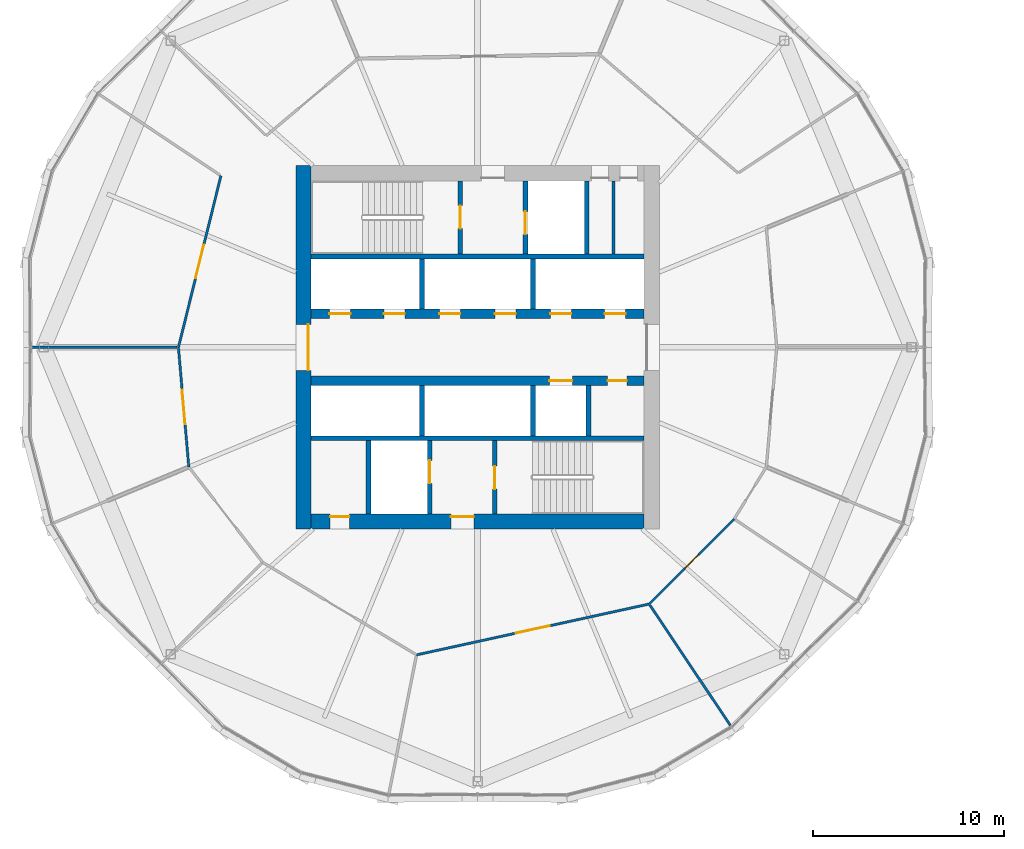
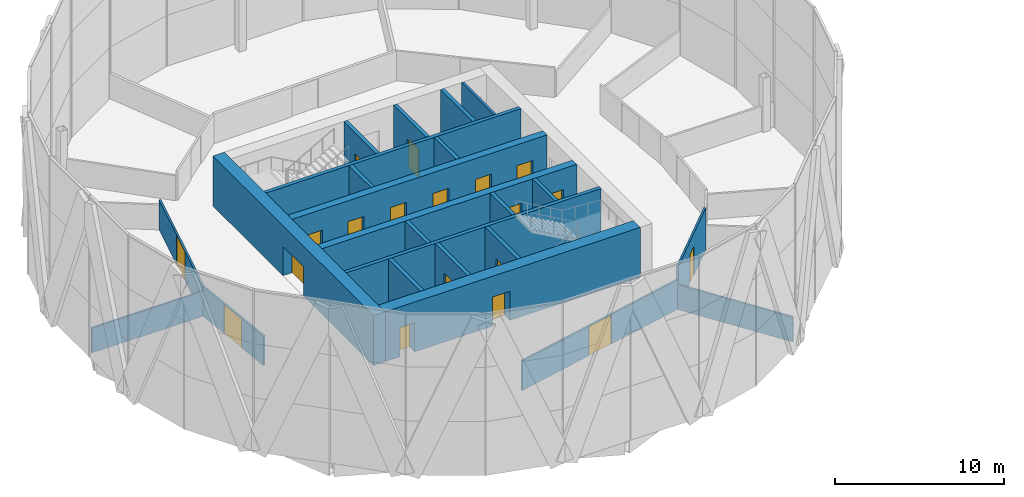
# One storey, part 20 of 26: 24 walls, 19 doors, 19 openings.
"""IFC4 building model written with IfcOpenShell, lengths in metres."""

from ifc_helpers import new_model, si_unit, direction, frame, frame_2d, origin, place, context, subcontext, project, spatial, rectangle, extrude, material, layer, layer_set, type_object, element, fill, save


model = new_model("IFC4")

# Units and contexts
model_context = context("Model", 3, precision=1e-05, world=origin(), true_north=direction((0.0, 1.0)))
body_context = subcontext(model_context, "Body", "Model", "MODEL_VIEW")
ifc_project = project(units=[si_unit("LENGTHUNIT", "METRE"), si_unit("AREAUNIT", "SQUARE_METRE"), si_unit("VOLUMEUNIT", "CUBIC_METRE"), si_unit("PLANEANGLEUNIT", "RADIAN"), si_unit("MASSUNIT", "GRAM", prefix="KILO")], contexts=[model_context])

# Site, building, storey
site_placement = place(None, origin())
site = spatial("IfcSite", under=ifc_project, at=site_placement, CompositionType="ELEMENT")
building_placement = place(site_placement, origin())
building = spatial("IfcBuilding", under=site, at=building_placement, Name="Ogive Gate Towers", CompositionType="ELEMENT")
storey_placement = place(building_placement, frame((0.0, 0.0, 87.89990234375)))
storey = spatial("IfcBuildingStorey", under=building, at=storey_placement, Name="L20", CompositionType="ELEMENT", Elevation=87.89990234375)

# Wall, openings, doors
ifc_material_1 = material(Name="Concrete C60/75", Category="concrete")
ifc_layer_1 = layer(ifc_material_1, 0.800048828125)
ifc_layer_set_1 = layer_set([ifc_layer_1], Name="Core wall 800 mm")
wall_type_1 = type_object("IfcWallType", Name="Core wall 800 mm", PredefinedType="SHEAR", material=ifc_layer_set_1)
wall_1_placement = place(storey_placement, frame((-44.699951171875, -9.10009765625, 0.0), z_axis=(0.0, 0.0, 1.0), x_axis=(1.0, 0.0, 0.0)))
wall_1 = element("IfcWall", 1, at=wall_1_placement, inside=storey, type_object=wall_type_1, Name="T1 L20 Core wall 800 mm", PredefinedType="SHEAR", context=body_context, shape_type="SweptSolid", body=[
    extrude(rectangle(XDim=17.39990234375, YDim=0.800048828125, at=frame_2d((8.699951171875, 0.0))), origin(), (0.0, 0.0, 1.0), 3.60009765625),
])
opening_1_placement = place(wall_1_placement, frame((7.300048828125, 0.0, 0.0)))
opening_1 = element("IfcOpeningElement", 2, at=opening_1_placement, cuts=wall_1, Name="Opening KD-T1-L20-16", PredefinedType="OPENING", context=body_context, shape_type="SweptSolid", body=[
    extrude(rectangle(XDim=1.199951171875, YDim=2.10009765625, at=frame_2d((0.60009765625, 1.050048828125))), frame((0.0, 0.41015625, 0.0), z_axis=(0.0, -1.0, 0.0), x_axis=(1.0, 0.0, 0.0)), (0.0, 0.0, 1.0), 0.820068359375),
])
opening_2_placement = place(wall_1_placement, frame((1.0, 0.0, 0.0)))
opening_2 = element("IfcOpeningElement", 3, at=opening_2_placement, cuts=wall_1, Name="Opening KD-T1-L20-19", PredefinedType="OPENING", context=body_context, shape_type="SweptSolid", body=[
    extrude(rectangle(XDim=1.0, YDim=2.10009765625, at=frame_2d((0.5, 1.050048828125))), frame((0.0, 0.41015625, 0.0), z_axis=(0.0, -1.0, 0.0), x_axis=(1.0, 0.0, 0.0)), (0.0, 0.0, 1.0), 0.820068359375),
])
ifc_material_2 = material(Name="Timber door", Category="wood")
door_type_1 = type_object("IfcDoorType", Name="Accessible WC door 1000 x 2100", OperationType="NOTDEFINED", PredefinedType="DOOR", material=ifc_material_2)
door_1_placement = place(opening_2_placement, origin())
door_1 = element("IfcDoor", 4, at=door_1_placement, inside=storey, type_object=door_type_1, Name="T1 L20 Core door", OperationType="SINGLE_SWING_RIGHT", OverallHeight=2.10009765625, OverallWidth=1.0, PredefinedType="DOOR", context=body_context, shape_type="SweptSolid", body=[
    extrude(rectangle(XDim=1.0, YDim=2.10009765625, at=frame_2d((0.5, 1.050048828125))), frame((0.0, 0.27490234375, 0.0), z_axis=(0.0, -1.0, 0.0), x_axis=(1.0, 0.0, 0.0)), (0.0, 0.0, 1.0), 0.050048828125),
])
fill(opening_2, door_1)
ifc_material_3 = material(Name="Steel fire door", Category="steel")
door_type_2 = type_object("IfcDoorType", Name="Core door FD60S 1200 x 2100", OperationType="NOTDEFINED", PredefinedType="DOOR", material=ifc_material_3)
door_2_placement = place(opening_1_placement, origin())
door_2 = element("IfcDoor", 5, at=door_2_placement, inside=storey, type_object=door_type_2, Name="T1 L20 Fire-fighting lobby door", OperationType="SINGLE_SWING_LEFT", OverallHeight=2.10009765625, OverallWidth=1.199951171875, PredefinedType="DOOR", context=body_context, shape_type="SweptSolid", body=[
    extrude(rectangle(XDim=1.199951171875, YDim=2.10009765625, at=frame_2d((0.60009765625, 1.050048828125))), frame((0.0, 0.27490234375, 0.0), z_axis=(0.0, -1.0, 0.0), x_axis=(1.0, 0.0, 0.0)), (0.0, 0.0, 1.0), 0.050048828125),
])
fill(opening_1, door_2)

# Wall, opening, door
wall_2_placement = place(storey_placement, frame((-45.10009765625, -9.5, 0.0), z_axis=(0.0, 0.0, 1.0), x_axis=(0.0, 1.0, 0.0)))
wall_2 = element("IfcWall", 6, at=wall_2_placement, inside=storey, type_object=wall_type_1, Name="T1 L20 Core wall 800 mm", PredefinedType="SHEAR", context=body_context, shape_type="SweptSolid", body=[
    extrude(rectangle(XDim=19.0, YDim=0.800048828125, at=frame_2d((9.5, 0.0))), origin(), (0.0, 0.0, 1.0), 3.60009765625),
])
opening_3_placement = place(wall_2_placement, frame((8.300048828125, 0.0, 0.0)))
opening_3 = element("IfcOpeningElement", 7, at=opening_3_placement, cuts=wall_2, Name="Opening KD-T1-L20-01", PredefinedType="OPENING", context=body_context, shape_type="SweptSolid", body=[
    extrude(rectangle(XDim=2.39990234375, YDim=2.10009765625, at=frame_2d((1.199951171875, 1.050048828125))), frame((0.0, 0.41015625, 0.0), z_axis=(0.0, -1.0, 0.0), x_axis=(1.0, 0.0, 0.0)), (0.0, 0.0, 1.0), 0.820068359375),
])
door_type_3 = type_object("IfcDoorType", Name="Core double door FD60S 2400 x 2100", OperationType="DOUBLE_DOOR_SINGLE_SWING", PredefinedType="DOOR", material=ifc_material_3)
door_3_placement = place(opening_3_placement, origin())
door_3 = element("IfcDoor", 8, at=door_3_placement, inside=storey, type_object=door_type_3, Name="T1 L20 Core door double", OperationType="DOUBLE_DOOR_SINGLE_SWING", OverallHeight=2.10009765625, OverallWidth=2.39990234375, PredefinedType="DOOR", context=body_context, shape_type="SweptSolid", body=[
    extrude(rectangle(XDim=2.39990234375, YDim=2.10009765625, at=frame_2d((1.199951171875, 1.050048828125))), frame((0.0, -0.22509765625, 0.0), z_axis=(0.0, -1.0, 0.0), x_axis=(1.0, 0.0, 0.0)), (0.0, 0.0, 1.0), 0.050048828125),
])
fill(opening_3, door_3)

# Walls
ifc_material_4 = material(Name="Gypsum board partition")
ifc_layer_2 = layer(ifc_material_4, 0.125)
ifc_layer_set_2 = layer_set([ifc_layer_2], Name="Partition 125")
wall_type_2 = type_object("IfcWallType", Name="Partition 125", PredefinedType="PARTITIONING", material=ifc_layer_set_2)
wall_3_placement = place(storey_placement, frame((-59.26904296875, 0.0, 0.0), z_axis=(0.0, 0.0, 1.0), x_axis=(1.0, 0.0, 0.0)))
element("IfcWall", 9, at=wall_3_placement, inside=storey, type_object=wall_type_2, Name="Partition T1-L20-008", PredefinedType="PARTITIONING", context=body_context, shape_type="SweptSolid", body=[
    extrude(rectangle(XDim=7.57666015625, YDim=0.125, at=frame_2d((3.788330078125, 0.0))), origin(), (0.0, 0.0, 1.0), 1.800048828125),
])
wall_4_placement = place(storey_placement, frame((-22.7880859375, -19.759521484375, 0.0), z_axis=(0.0, 0.0, 1.0), x_axis=(-0.555822554951, 0.831300960788, 0.0)))
element("IfcWall", 10, at=wall_4_placement, inside=storey, type_object=wall_type_2, Name="Partition T1-L20-012", PredefinedType="PARTITIONING", context=body_context, shape_type="SweptSolid", body=[
    extrude(rectangle(XDim=7.576416015625, YDim=0.125, at=frame_2d((3.7880859375, 0.0))), origin(), (0.0, 0.0, 1.0), 1.800048828125),
])

# Wall, opening, door
wall_5_placement = place(storey_placement, frame((-49.4091796875, 8.9658203125, 0.0), z_axis=(0.0, 0.0, 1.0), x_axis=(-0.240420532382, -0.970668824888, 0.0)))
wall_5 = element("IfcWall", 11, at=wall_5_placement, inside=storey, type_object=wall_type_2, Name="Partition T1-L20-018", PredefinedType="PARTITIONING", context=body_context, shape_type="SweptSolid", body=[
    extrude(rectangle(XDim=9.23681640625, YDim=0.125, at=frame_2d((4.618408203125, 0.0))), origin(), (0.0, 0.0, 1.0), 2.14013671875),
])
opening_4_placement = place(wall_5_placement, frame((3.718017578125, 0.0, 0.0)))
opening_4 = element("IfcOpeningElement", 12, at=opening_4_placement, cuts=wall_5, Name="Opening T1-L20-D04", PredefinedType="OPENING", context=body_context, shape_type="SweptSolid", body=[
    extrude(rectangle(XDim=1.800048828125, YDim=2.10009765625, at=frame_2d((0.89990234375, 1.050048828125))), frame((0.0, 0.072509765625, 0.0), z_axis=(0.0, -1.0, 0.0), x_axis=(1.0, 0.0, 0.0)), (0.0, 0.0, 1.0), 0.14501953125),
])
door_type_4 = type_object("IfcDoorType", Name="Door pair 1800", OperationType="NOTDEFINED", PredefinedType="DOOR", material=ifc_material_2)
door_4_placement = place(opening_4_placement, origin())
door_4 = element("IfcDoor", 13, at=door_4_placement, inside=storey, type_object=door_type_4, Name="Door T1-L20-D04", OperationType="DOUBLE_DOOR_DOUBLE_SWING", OverallHeight=2.10009765625, OverallWidth=1.800048828125, PredefinedType="DOOR", context=body_context, shape_type="SweptSolid", body=[
    extrude(rectangle(XDim=1.800048828125, YDim=2.10009765625, at=frame_2d((0.89990234375, 1.050048828125))), frame((0.0, 0.02490234375, 0.0), z_axis=(0.0, -1.0, 0.0), x_axis=(1.0, 0.0, 0.0)), (0.0, 0.0, 1.0), 0.050048828125),
])
fill(opening_4, door_4)

wall_6_placement = place(storey_placement, frame((-51.6298828125, 0.0, 0.0), z_axis=(0.0, 0.0, 1.0), x_axis=(0.086401208682, -0.996260423352, 0.0)))
wall_6 = element("IfcWall", 14, at=wall_6_placement, inside=storey, type_object=wall_type_2, Name="Partition T1-L20-019", PredefinedType="PARTITIONING", context=body_context, shape_type="SweptSolid", body=[
    extrude(rectangle(XDim=6.27294921875, YDim=0.125, at=frame_2d((3.136474609375, 0.0))), origin(), (0.0, 0.0, 1.0), 2.14013671875),
])
opening_5_placement = place(wall_6_placement, frame((2.237060546875, 0.0, 0.0)))
opening_5 = element("IfcOpeningElement", 15, at=opening_5_placement, cuts=wall_6, Name="Opening T1-L20-D05", PredefinedType="OPENING", context=body_context, shape_type="SweptSolid", body=[
    extrude(rectangle(XDim=1.800048828125, YDim=2.10009765625, at=frame_2d((0.89990234375, 1.050048828125))), frame((0.0, 0.072509765625, 0.0), z_axis=(0.0, -1.0, 0.0), x_axis=(1.0, 0.0, 0.0)), (0.0, 0.0, 1.0), 0.14501953125),
])
door_5_placement = place(opening_5_placement, origin())
door_5 = element("IfcDoor", 16, at=door_5_placement, inside=storey, type_object=door_type_4, Name="Door T1-L20-D05", OperationType="DOUBLE_DOOR_DOUBLE_SWING", OverallHeight=2.10009765625, OverallWidth=1.800048828125, PredefinedType="DOOR", context=body_context, shape_type="SweptSolid", body=[
    extrude(rectangle(XDim=1.800048828125, YDim=2.10009765625, at=frame_2d((0.89990234375, 1.050048828125))), frame((0.0, 0.02490234375, 0.0), z_axis=(0.0, -1.0, 0.0), x_axis=(1.0, 0.0, 0.0)), (0.0, 0.0, 1.0), 0.050048828125),
])
fill(opening_5, door_5)

wall_7_placement = place(storey_placement, frame((-39.190673828125, -16.06689453125, 0.0), z_axis=(0.0, 0.0, 1.0), x_axis=(0.976925481372, 0.213580438821, 0.0)))
wall_7 = element("IfcWall", 17, at=wall_7_placement, inside=storey, type_object=wall_type_2, Name="Partition T1-L20-022", PredefinedType="PARTITIONING", context=body_context, shape_type="SweptSolid", body=[
    extrude(rectangle(XDim=12.443603515625, YDim=0.125, at=frame_2d((6.2216796875, 0.0))), origin(), (0.0, 0.0, 1.0), 2.14013671875),
])
opening_6_placement = place(wall_7_placement, frame((5.322021484375, 0.0, 0.0)))
opening_6 = element("IfcOpeningElement", 18, at=opening_6_placement, cuts=wall_7, Name="Opening T1-L20-D08", PredefinedType="OPENING", context=body_context, shape_type="SweptSolid", body=[
    extrude(rectangle(XDim=1.800048828125, YDim=2.10009765625, at=frame_2d((0.89990234375, 1.050048828125))), frame((0.0, 0.072509765625, 0.0), z_axis=(0.0, -1.0, 0.0), x_axis=(1.0, 0.0, 0.0)), (0.0, 0.0, 1.0), 0.14501953125),
])
door_6_placement = place(opening_6_placement, origin())
door_6 = element("IfcDoor", 19, at=door_6_placement, inside=storey, type_object=door_type_4, Name="Door T1-L20-D08", OperationType="DOUBLE_DOOR_DOUBLE_SWING", OverallHeight=2.10009765625, OverallWidth=1.800048828125, PredefinedType="DOOR", context=body_context, shape_type="SweptSolid", body=[
    extrude(rectangle(XDim=1.800048828125, YDim=2.10009765625, at=frame_2d((0.89990234375, 1.050048828125))), frame((0.0, 0.02490234375, 0.0), z_axis=(0.0, -1.0, 0.0), x_axis=(1.0, 0.0, 0.0)), (0.0, 0.0, 1.0), 0.050048828125),
])
fill(opening_6, door_6)

wall_8_placement = place(storey_placement, frame((-27.0341796875, -13.4091796875, 0.0), z_axis=(0.0, 0.0, 1.0), x_axis=(0.707106781187, 0.707106781187, 0.0)))
wall_8 = element("IfcWall", 20, at=wall_8_placement, inside=storey, type_object=wall_type_2, Name="Partition T1-L20-023", PredefinedType="PARTITIONING", context=body_context, shape_type="SweptSolid", body=[
    extrude(rectangle(XDim=6.283935546875, YDim=0.125, at=frame_2d((3.14208984375, 0.0))), origin(), (0.0, 0.0, 1.0), 3.050048828125),
])
opening_7_placement = place(wall_8_placement, frame((2.64208984375, 0.0, 0.0)))
opening_7 = element("IfcOpeningElement", 21, at=opening_7_placement, cuts=wall_8, Name="Opening T1-L20-D09", PredefinedType="OPENING", context=body_context, shape_type="SweptSolid", body=[
    extrude(rectangle(XDim=1.0, YDim=2.10009765625, at=frame_2d((0.5, 1.050048828125))), frame((0.0, 0.072509765625, 0.0), z_axis=(0.0, -1.0, 0.0), x_axis=(1.0, 0.0, 0.0)), (0.0, 0.0, 1.0), 0.14501953125),
])
door_type_5 = type_object("IfcDoorType", Name="Door 1000", OperationType="NOTDEFINED", PredefinedType="DOOR", material=ifc_material_2)
door_7_placement = place(opening_7_placement, origin())
door_7 = element("IfcDoor", 22, at=door_7_placement, inside=storey, type_object=door_type_5, Name="Door T1-L20-D09", OperationType="SINGLE_SWING_LEFT", OverallHeight=2.10009765625, OverallWidth=1.0, PredefinedType="DOOR", context=body_context, shape_type="SweptSolid", body=[
    extrude(rectangle(XDim=1.0, YDim=2.10009765625, at=frame_2d((0.5, 1.050048828125))), frame((0.0, 0.02490234375, 0.0), z_axis=(0.0, -1.0, 0.0), x_axis=(1.0, 0.0, 0.0)), (0.0, 0.0, 1.0), 0.050048828125),
])
fill(opening_7, door_7)

# Walls
ifc_layer_3 = layer(ifc_material_4, 0.14990234375)
ifc_layer_set_3 = layer_set([ifc_layer_3], Name="Room partition 150 mm")
wall_type_3 = type_object("IfcWallType", Name="Room partition 150 mm", PredefinedType="PARTITIONING", material=ifc_layer_set_3)
wall_9_placement = place(storey_placement, frame((-28.89990234375, 4.875, 0.0), z_axis=(0.0, 0.0, 1.0), x_axis=(0.0, 1.0, 0.0)))
element("IfcWall", 23, at=wall_9_placement, inside=storey, type_object=wall_type_3, Name="T1 L20 Room partition 150 mm", PredefinedType="PARTITIONING", context=body_context, shape_type="SweptSolid", body=[
    extrude(rectangle(XDim=3.824951171875, YDim=0.14990234375, at=frame_2d((1.91259765625, 0.0))), origin(), (0.0, 0.0, 1.0), 3.60009765625),
])
ifc_layer_4 = layer(ifc_material_1, 0.25)
ifc_layer_set_4 = layer_set([ifc_layer_4], Name="Shaft wall 250 mm")
wall_type_4 = type_object("IfcWallType", Name="Shaft wall 250 mm", PredefinedType="SHEAR", material=ifc_layer_set_4)
for number, where, z_axis, x_axis, name in (
    (24, (-44.699951171875, -4.75, 0.0), (0.0, 0.0, 1.0), (1.0, 0.0, 0.0), "T1 L20 Shaft wall 250 mm"),
    (25, (-44.699951171875, 4.75, 0.0), (0.0, 0.0, 1.0), (1.0, 0.0, 0.0), "T1 L20 Shaft wall 250 mm"),
):
    element("IfcWall", number, at=place(storey_placement, frame(where, z_axis=z_axis, x_axis=x_axis)), inside=storey, type_object=wall_type_4, Name=name, PredefinedType="SHEAR", context=body_context, shape_type="SweptSolid", body=[
        extrude(rectangle(XDim=17.39990234375, YDim=0.25, at=frame_2d((8.699951171875, 0.0))), origin(), (0.0, 0.0, 1.0), 3.60009765625),
    ])
wall_10_placement = place(storey_placement, frame((-41.699951171875, -8.699951171875, 0.0), z_axis=(0.0, 0.0, 1.0), x_axis=(0.0, 1.0, 0.0)))
element("IfcWall", 26, at=wall_10_placement, inside=storey, type_object=wall_type_4, Name="T1 L20 Shaft wall 250 mm", PredefinedType="SHEAR", context=body_context, shape_type="SweptSolid", body=[
    extrude(rectangle(XDim=3.824951171875, YDim=0.25, at=frame_2d((1.91259765625, 0.0))), origin(), (0.0, 0.0, 1.0), 3.60009765625),
])
for number, where, z_axis, x_axis, name in (
    (27, (-38.89990234375, -4.625, 0.0), (0.0, 0.0, 1.0), (0.0, 1.0, 0.0), "T1 L20 Shaft wall 250 mm"),
    (28, (-38.89990234375, 2.0, 0.0), (0.0, 0.0, 1.0), (0.0, 1.0, 0.0), "T1 L20 Shaft wall 250 mm"),
):
    element("IfcWall", number, at=place(storey_placement, frame(where, z_axis=z_axis, x_axis=x_axis)), inside=storey, type_object=wall_type_4, Name=name, PredefinedType="SHEAR", context=body_context, shape_type="SweptSolid", body=[
        extrude(rectangle(XDim=2.625, YDim=0.25, at=frame_2d((1.3125, 0.0))), origin(), (0.0, 0.0, 1.0), 3.60009765625),
    ])

# Wall, opening, door
wall_11_placement = place(storey_placement, frame((-38.5, -8.699951171875, 0.0), z_axis=(0.0, 0.0, 1.0), x_axis=(0.0, 1.0, 0.0)))
wall_11 = element("IfcWall", 29, at=wall_11_placement, inside=storey, type_object=wall_type_4, Name="T1 L20 Shaft wall 250 mm", PredefinedType="SHEAR", context=body_context, shape_type="SweptSolid", body=[
    extrude(rectangle(XDim=3.824951171875, YDim=0.25, at=frame_2d((1.91259765625, 0.0))), origin(), (0.0, 0.0, 1.0), 3.60009765625),
])
opening_8_placement = place(wall_11_placement, frame((1.60009765625, 0.0, 0.0)))
opening_8 = element("IfcOpeningElement", 30, at=opening_8_placement, cuts=wall_11, Name="Opening LD-T1-L20-11", PredefinedType="OPENING", context=body_context, shape_type="SweptSolid", body=[
    extrude(rectangle(XDim=1.199951171875, YDim=2.10009765625, at=frame_2d((0.60009765625, 1.050048828125))), frame((0.0, 0.135009765625, 0.0), z_axis=(0.0, -1.0, 0.0), x_axis=(1.0, 0.0, 0.0)), (0.0, 0.0, 1.0), 0.27001953125),
])
ifc_material_5 = material(Name="Stainless steel landing door", Category="steel")
door_type_6 = type_object("IfcDoorType", Name="Landing door 1200 x 2100", OperationType="SLIDING_TO_LEFT", PredefinedType="DOOR", material=ifc_material_5)
door_8_placement = place(opening_8_placement, origin())
door_8 = element("IfcDoor", 31, at=door_8_placement, inside=storey, type_object=door_type_6, Name="T1 L20 Lift landing door FF2", OperationType="SLIDING_TO_LEFT", OverallHeight=2.10009765625, OverallWidth=1.199951171875, PredefinedType="DOOR", context=body_context, shape_type="SweptSolid", body=[
    extrude(rectangle(XDim=1.199951171875, YDim=2.10009765625, at=frame_2d((0.60009765625, 1.050048828125))), frame((0.0, 0.02490234375, 0.0), z_axis=(0.0, -1.0, 0.0), x_axis=(1.0, 0.0, 0.0)), (0.0, 0.0, 1.0), 0.050048828125),
])
fill(opening_8, door_8)

wall_12_placement = place(storey_placement, frame((-36.89990234375, 4.875, 0.0), z_axis=(0.0, 0.0, 1.0), x_axis=(0.0, 1.0, 0.0)))
wall_12 = element("IfcWall", 32, at=wall_12_placement, inside=storey, type_object=wall_type_4, Name="T1 L20 Shaft wall 250 mm", PredefinedType="SHEAR", context=body_context, shape_type="SweptSolid", body=[
    extrude(rectangle(XDim=3.824951171875, YDim=0.25, at=frame_2d((1.91259765625, 0.0))), origin(), (0.0, 0.0, 1.0), 3.60009765625),
])
opening_9_placement = place(wall_12_placement, frame((1.324951171875, 0.0, 0.0)))
opening_9 = element("IfcOpeningElement", 33, at=opening_9_placement, cuts=wall_12, Name="Opening KD-T1-L20-13", PredefinedType="OPENING", context=body_context, shape_type="SweptSolid", body=[
    extrude(rectangle(XDim=1.199951171875, YDim=2.10009765625, at=frame_2d((0.60009765625, 1.050048828125))), frame((0.0, 0.135009765625, 0.0), z_axis=(0.0, -1.0, 0.0), x_axis=(1.0, 0.0, 0.0)), (0.0, 0.0, 1.0), 0.27001953125),
])
door_9_placement = place(opening_9_placement, origin())
door_9 = element("IfcDoor", 34, at=door_9_placement, inside=storey, type_object=door_type_2, Name="T1 L20 Stair door", OperationType="SINGLE_SWING_RIGHT", OverallHeight=2.10009765625, OverallWidth=1.199951171875, PredefinedType="DOOR", context=body_context, shape_type="SweptSolid", body=[
    extrude(rectangle(XDim=1.199951171875, YDim=2.10009765625, at=frame_2d((0.60009765625, 1.050048828125))), frame((0.0, 0.02490234375, 0.0), z_axis=(0.0, -1.0, 0.0), x_axis=(1.0, 0.0, 0.0)), (0.0, 0.0, 1.0), 0.050048828125),
])
fill(opening_9, door_9)

wall_13_placement = place(storey_placement, frame((-35.10009765625, -8.699951171875, 0.0), z_axis=(0.0, 0.0, 1.0), x_axis=(0.0, 1.0, 0.0)))
wall_13 = element("IfcWall", 35, at=wall_13_placement, inside=storey, type_object=wall_type_4, Name="T1 L20 Shaft wall 250 mm", PredefinedType="SHEAR", context=body_context, shape_type="SweptSolid", body=[
    extrude(rectangle(XDim=3.824951171875, YDim=0.25, at=frame_2d((1.91259765625, 0.0))), origin(), (0.0, 0.0, 1.0), 3.60009765625),
])
opening_10_placement = place(wall_13_placement, frame((1.300048828125, 0.0, 0.0)))
opening_10 = element("IfcOpeningElement", 36, at=opening_10_placement, cuts=wall_13, Name="Opening KD-T1-L20-14", PredefinedType="OPENING", context=body_context, shape_type="SweptSolid", body=[
    extrude(rectangle(XDim=1.199951171875, YDim=2.10009765625, at=frame_2d((0.60009765625, 1.050048828125))), frame((0.0, 0.135009765625, 0.0), z_axis=(0.0, -1.0, 0.0), x_axis=(1.0, 0.0, 0.0)), (0.0, 0.0, 1.0), 0.27001953125),
])
door_10_placement = place(opening_10_placement, origin())
door_10 = element("IfcDoor", 37, at=door_10_placement, inside=storey, type_object=door_type_2, Name="T1 L20 Stair door", OperationType="SINGLE_SWING_LEFT", OverallHeight=2.10009765625, OverallWidth=1.199951171875, PredefinedType="DOOR", context=body_context, shape_type="SweptSolid", body=[
    extrude(rectangle(XDim=1.199951171875, YDim=2.10009765625, at=frame_2d((0.60009765625, 1.050048828125))), frame((0.0, 0.02490234375, 0.0), z_axis=(0.0, -1.0, 0.0), x_axis=(1.0, 0.0, 0.0)), (0.0, 0.0, 1.0), 0.050048828125),
])
fill(opening_10, door_10)

wall_14_placement = place(storey_placement, frame((-33.5, 4.875, 0.0), z_axis=(0.0, 0.0, 1.0), x_axis=(0.0, 1.0, 0.0)))
wall_14 = element("IfcWall", 38, at=wall_14_placement, inside=storey, type_object=wall_type_4, Name="T1 L20 Shaft wall 250 mm", PredefinedType="SHEAR", context=body_context, shape_type="SweptSolid", body=[
    extrude(rectangle(XDim=3.824951171875, YDim=0.25, at=frame_2d((1.91259765625, 0.0))), origin(), (0.0, 0.0, 1.0), 3.60009765625),
])
opening_11_placement = place(wall_14_placement, frame((1.02490234375, 0.0, 0.0)))
opening_11 = element("IfcOpeningElement", 39, at=opening_11_placement, cuts=wall_14, Name="Opening LD-T1-L20-10", PredefinedType="OPENING", context=body_context, shape_type="SweptSolid", body=[
    extrude(rectangle(XDim=1.199951171875, YDim=2.10009765625, at=frame_2d((0.60009765625, 1.050048828125))), frame((0.0, 0.135009765625, 0.0), z_axis=(0.0, -1.0, 0.0), x_axis=(1.0, 0.0, 0.0)), (0.0, 0.0, 1.0), 0.27001953125),
])
door_11_placement = place(opening_11_placement, origin())
door_11 = element("IfcDoor", 40, at=door_11_placement, inside=storey, type_object=door_type_6, Name="T1 L20 Lift landing door FF1", OperationType="SLIDING_TO_LEFT", OverallHeight=2.10009765625, OverallWidth=1.199951171875, PredefinedType="DOOR", context=body_context, shape_type="SweptSolid", body=[
    extrude(rectangle(XDim=1.199951171875, YDim=2.10009765625, at=frame_2d((0.60009765625, 1.050048828125))), frame((0.0, 0.02490234375, 0.0), z_axis=(0.0, -1.0, 0.0), x_axis=(1.0, 0.0, 0.0)), (0.0, 0.0, 1.0), 0.050048828125),
])
fill(opening_11, door_11)

# Walls
for number, where, z_axis, x_axis, name in (
    (41, (-33.10009765625, -4.625, 0.0), (0.0, 0.0, 1.0), (0.0, 1.0, 0.0), "T1 L20 Shaft wall 250 mm"),
    (42, (-33.10009765625, 2.0, 0.0), (0.0, 0.0, 1.0), (0.0, 1.0, 0.0), "T1 L20 Shaft wall 250 mm"),
):
    element("IfcWall", number, at=place(storey_placement, frame(where, z_axis=z_axis, x_axis=x_axis)), inside=storey, type_object=wall_type_4, Name=name, PredefinedType="SHEAR", context=body_context, shape_type="SweptSolid", body=[
        extrude(rectangle(XDim=2.625, YDim=0.25, at=frame_2d((1.3125, 0.0))), origin(), (0.0, 0.0, 1.0), 3.60009765625),
    ])
wall_15_placement = place(storey_placement, frame((-30.300048828125, 4.875, 0.0), z_axis=(0.0, 0.0, 1.0), x_axis=(0.0, 1.0, 0.0)))
element("IfcWall", 43, at=wall_15_placement, inside=storey, type_object=wall_type_4, Name="T1 L20 Shaft wall 250 mm", PredefinedType="SHEAR", context=body_context, shape_type="SweptSolid", body=[
    extrude(rectangle(XDim=3.824951171875, YDim=0.25, at=frame_2d((1.91259765625, 0.0))), origin(), (0.0, 0.0, 1.0), 3.60009765625),
])
wall_16_placement = place(storey_placement, frame((-30.199951171875, -4.625, 0.0), z_axis=(0.0, 0.0, 1.0), x_axis=(0.0, 1.0, 0.0)))
element("IfcWall", 44, at=wall_16_placement, inside=storey, type_object=wall_type_4, Name="T1 L20 Shaft wall 250 mm", PredefinedType="SHEAR", context=body_context, shape_type="SweptSolid", body=[
    extrude(rectangle(XDim=2.625, YDim=0.25, at=frame_2d((1.3125, 0.0))), origin(), (0.0, 0.0, 1.0), 3.60009765625),
])

# Wall, openings, doors
ifc_layer_5 = layer(ifc_material_1, 0.5)
ifc_layer_set_5 = layer_set([ifc_layer_5], Name="Spine wall 500 mm")
wall_type_5 = type_object("IfcWallType", Name="Spine wall 500 mm", PredefinedType="SHEAR", material=ifc_layer_set_5)
wall_17_placement = place(storey_placement, frame((-44.699951171875, -1.75, 0.0), z_axis=(0.0, 0.0, 1.0), x_axis=(1.0, 0.0, 0.0)))
wall_17 = element("IfcWall", 45, at=wall_17_placement, inside=storey, type_object=wall_type_5, Name="T1 L20 Spine wall 500 mm", PredefinedType="SHEAR", context=body_context, shape_type="SweptSolid", body=[
    extrude(rectangle(XDim=17.39990234375, YDim=0.5, at=frame_2d((8.699951171875, 0.0))), origin(), (0.0, 0.0, 1.0), 3.60009765625),
])
opening_12_placement = place(wall_17_placement, frame((12.449951171875, 0.0, 0.0)))
opening_12 = element("IfcOpeningElement", 46, at=opening_12_placement, cuts=wall_17, Name="Opening LD-T1-L20-09", PredefinedType="OPENING", context=body_context, shape_type="SweptSolid", body=[
    extrude(rectangle(XDim=1.199951171875, YDim=2.10009765625, at=frame_2d((0.60009765625, 1.050048828125))), frame((0.0, 0.260009765625, 0.0), z_axis=(0.0, -1.0, 0.0), x_axis=(1.0, 0.0, 0.0)), (0.0, 0.0, 1.0), 0.52001953125),
])
opening_13_placement = place(wall_17_placement, frame((15.5, 0.0, 0.0)))
opening_13 = element("IfcOpeningElement", 47, at=opening_13_placement, cuts=wall_17, Name="Opening KD-T1-L20-12", PredefinedType="OPENING", context=body_context, shape_type="SweptSolid", body=[
    extrude(rectangle(XDim=1.0, YDim=2.10009765625, at=frame_2d((0.5, 1.050048828125))), frame((0.0, 0.260009765625, 0.0), z_axis=(0.0, -1.0, 0.0), x_axis=(1.0, 0.0, 0.0)), (0.0, 0.0, 1.0), 0.52001953125),
])
door_type_7 = type_object("IfcDoorType", Name="Core door FD60S 1000 x 2100", OperationType="NOTDEFINED", PredefinedType="DOOR", material=ifc_material_3)
door_12_placement = place(opening_13_placement, origin())
door_12 = element("IfcDoor", 48, at=door_12_placement, inside=storey, type_object=door_type_7, Name="T1 L20 Core door", OperationType="SINGLE_SWING_LEFT", OverallHeight=2.10009765625, OverallWidth=1.0, PredefinedType="DOOR", context=body_context, shape_type="SweptSolid", body=[
    extrude(rectangle(XDim=1.0, YDim=2.10009765625, at=frame_2d((0.5, 1.050048828125))), frame((0.0, 0.02490234375, 0.0), z_axis=(0.0, -1.0, 0.0), x_axis=(1.0, 0.0, 0.0)), (0.0, 0.0, 1.0), 0.050048828125),
])
fill(opening_13, door_12)
door_13_placement = place(opening_12_placement, origin())
door_13 = element("IfcDoor", 49, at=door_13_placement, inside=storey, type_object=door_type_6, Name="T1 L20 Lift landing door SVC", OperationType="SLIDING_TO_LEFT", OverallHeight=2.10009765625, OverallWidth=1.199951171875, PredefinedType="DOOR", context=body_context, shape_type="SweptSolid", body=[
    extrude(rectangle(XDim=1.199951171875, YDim=2.10009765625, at=frame_2d((0.60009765625, 1.050048828125))), frame((0.0, 0.02490234375, 0.0), z_axis=(0.0, -1.0, 0.0), x_axis=(1.0, 0.0, 0.0)), (0.0, 0.0, 1.0), 0.050048828125),
])
fill(opening_12, door_13)

wall_18_placement = place(storey_placement, frame((-44.699951171875, 1.75, 0.0), z_axis=(0.0, 0.0, 1.0), x_axis=(1.0, 0.0, 0.0)))
wall_18 = element("IfcWall", 50, at=wall_18_placement, inside=storey, type_object=wall_type_5, Name="T1 L20 Spine wall 500 mm", PredefinedType="SHEAR", context=body_context, shape_type="SweptSolid", body=[
    extrude(rectangle(XDim=17.39990234375, YDim=0.5, at=frame_2d((8.699951171875, 0.0))), origin(), (0.0, 0.0, 1.0), 3.60009765625),
])
opening_14_placement = place(wall_18_placement, frame((0.96240234375, 0.0, 0.0)))
opening_14 = element("IfcOpeningElement", 51, at=opening_14_placement, cuts=wall_18, Name="Opening LD-T1-L20-03", PredefinedType="OPENING", context=body_context, shape_type="SweptSolid", body=[
    extrude(rectangle(XDim=1.10009765625, YDim=2.10009765625, at=frame_2d((0.550048828125, 1.050048828125))), frame((0.0, 0.260009765625, 0.0), z_axis=(0.0, -1.0, 0.0), x_axis=(1.0, 0.0, 0.0)), (0.0, 0.0, 1.0), 0.52001953125),
])
opening_15_placement = place(wall_18_placement, frame((3.800048828125, 0.0, 0.0)))
opening_15 = element("IfcOpeningElement", 52, at=opening_15_placement, cuts=wall_18, Name="Opening LD-T1-L20-04", PredefinedType="OPENING", context=body_context, shape_type="SweptSolid", body=[
    extrude(rectangle(XDim=1.10009765625, YDim=2.10009765625, at=frame_2d((0.550048828125, 1.050048828125))), frame((0.0, 0.260009765625, 0.0), z_axis=(0.0, -1.0, 0.0), x_axis=(1.0, 0.0, 0.0)), (0.0, 0.0, 1.0), 0.52001953125),
])
opening_16_placement = place(wall_18_placement, frame((6.699951171875, 0.0, 0.0)))
opening_16 = element("IfcOpeningElement", 53, at=opening_16_placement, cuts=wall_18, Name="Opening LD-T1-L20-05", PredefinedType="OPENING", context=body_context, shape_type="SweptSolid", body=[
    extrude(rectangle(XDim=1.10009765625, YDim=2.10009765625, at=frame_2d((0.550048828125, 1.050048828125))), frame((0.0, 0.260009765625, 0.0), z_axis=(0.0, -1.0, 0.0), x_axis=(1.0, 0.0, 0.0)), (0.0, 0.0, 1.0), 0.52001953125),
])
opening_17_placement = place(wall_18_placement, frame((9.60009765625, 0.0, 0.0)))
opening_17 = element("IfcOpeningElement", 54, at=opening_17_placement, cuts=wall_18, Name="Opening LD-T1-L20-06", PredefinedType="OPENING", context=body_context, shape_type="SweptSolid", body=[
    extrude(rectangle(XDim=1.10009765625, YDim=2.10009765625, at=frame_2d((0.550048828125, 1.050048828125))), frame((0.0, 0.260009765625, 0.0), z_axis=(0.0, -1.0, 0.0), x_axis=(1.0, 0.0, 0.0)), (0.0, 0.0, 1.0), 0.52001953125),
])
opening_18_placement = place(wall_18_placement, frame((12.5, 0.0, 0.0)))
opening_18 = element("IfcOpeningElement", 55, at=opening_18_placement, cuts=wall_18, Name="Opening LD-T1-L20-07", PredefinedType="OPENING", context=body_context, shape_type="SweptSolid", body=[
    extrude(rectangle(XDim=1.10009765625, YDim=2.10009765625, at=frame_2d((0.550048828125, 1.050048828125))), frame((0.0, 0.260009765625, 0.0), z_axis=(0.0, -1.0, 0.0), x_axis=(1.0, 0.0, 0.0)), (0.0, 0.0, 1.0), 0.52001953125),
])
opening_19_placement = place(wall_18_placement, frame((15.33740234375, 0.0, 0.0)))
opening_19 = element("IfcOpeningElement", 56, at=opening_19_placement, cuts=wall_18, Name="Opening LD-T1-L20-08", PredefinedType="OPENING", context=body_context, shape_type="SweptSolid", body=[
    extrude(rectangle(XDim=1.10009765625, YDim=2.10009765625, at=frame_2d((0.550048828125, 1.050048828125))), frame((0.0, 0.260009765625, 0.0), z_axis=(0.0, -1.0, 0.0), x_axis=(1.0, 0.0, 0.0)), (0.0, 0.0, 1.0), 0.52001953125),
])
door_type_8 = type_object("IfcDoorType", Name="Landing door 1100 x 2100", OperationType="SLIDING_TO_LEFT", PredefinedType="DOOR", material=ifc_material_5)
door_14_placement = place(opening_14_placement, origin())
door_14 = element("IfcDoor", 57, at=door_14_placement, inside=storey, type_object=door_type_8, Name="T1 L20 Lift landing door A1", OperationType="SLIDING_TO_LEFT", OverallHeight=2.10009765625, OverallWidth=1.10009765625, PredefinedType="DOOR", context=body_context, shape_type="SweptSolid", body=[
    extrude(rectangle(XDim=1.10009765625, YDim=2.10009765625, at=frame_2d((0.550048828125, 1.050048828125))), frame((0.0, 0.02490234375, 0.0), z_axis=(0.0, -1.0, 0.0), x_axis=(1.0, 0.0, 0.0)), (0.0, 0.0, 1.0), 0.050048828125),
])
fill(opening_14, door_14)
door_15_placement = place(opening_15_placement, origin())
door_15 = element("IfcDoor", 58, at=door_15_placement, inside=storey, type_object=door_type_8, Name="T1 L20 Lift landing door A2", OperationType="SLIDING_TO_LEFT", OverallHeight=2.10009765625, OverallWidth=1.10009765625, PredefinedType="DOOR", context=body_context, shape_type="SweptSolid", body=[
    extrude(rectangle(XDim=1.10009765625, YDim=2.10009765625, at=frame_2d((0.550048828125, 1.050048828125))), frame((0.0, 0.02490234375, 0.0), z_axis=(0.0, -1.0, 0.0), x_axis=(1.0, 0.0, 0.0)), (0.0, 0.0, 1.0), 0.050048828125),
])
fill(opening_15, door_15)
door_16_placement = place(opening_16_placement, origin())
door_16 = element("IfcDoor", 59, at=door_16_placement, inside=storey, type_object=door_type_8, Name="T1 L20 Lift landing door A3", OperationType="SLIDING_TO_LEFT", OverallHeight=2.10009765625, OverallWidth=1.10009765625, PredefinedType="DOOR", context=body_context, shape_type="SweptSolid", body=[
    extrude(rectangle(XDim=1.10009765625, YDim=2.10009765625, at=frame_2d((0.550048828125, 1.050048828125))), frame((0.0, 0.02490234375, 0.0), z_axis=(0.0, -1.0, 0.0), x_axis=(1.0, 0.0, 0.0)), (0.0, 0.0, 1.0), 0.050048828125),
])
fill(opening_16, door_16)
door_17_placement = place(opening_17_placement, origin())
door_17 = element("IfcDoor", 60, at=door_17_placement, inside=storey, type_object=door_type_8, Name="T1 L20 Lift landing door A4", OperationType="SLIDING_TO_LEFT", OverallHeight=2.10009765625, OverallWidth=1.10009765625, PredefinedType="DOOR", context=body_context, shape_type="SweptSolid", body=[
    extrude(rectangle(XDim=1.10009765625, YDim=2.10009765625, at=frame_2d((0.550048828125, 1.050048828125))), frame((0.0, 0.02490234375, 0.0), z_axis=(0.0, -1.0, 0.0), x_axis=(1.0, 0.0, 0.0)), (0.0, 0.0, 1.0), 0.050048828125),
])
fill(opening_17, door_17)
door_18_placement = place(opening_18_placement, origin())
door_18 = element("IfcDoor", 61, at=door_18_placement, inside=storey, type_object=door_type_8, Name="T1 L20 Lift landing door A5", OperationType="SLIDING_TO_LEFT", OverallHeight=2.10009765625, OverallWidth=1.10009765625, PredefinedType="DOOR", context=body_context, shape_type="SweptSolid", body=[
    extrude(rectangle(XDim=1.10009765625, YDim=2.10009765625, at=frame_2d((0.550048828125, 1.050048828125))), frame((0.0, 0.02490234375, 0.0), z_axis=(0.0, -1.0, 0.0), x_axis=(1.0, 0.0, 0.0)), (0.0, 0.0, 1.0), 0.050048828125),
])
fill(opening_18, door_18)
door_19_placement = place(opening_19_placement, origin())
door_19 = element("IfcDoor", 62, at=door_19_placement, inside=storey, type_object=door_type_8, Name="T1 L20 Lift landing door A6", OperationType="SLIDING_TO_LEFT", OverallHeight=2.10009765625, OverallWidth=1.10009765625, PredefinedType="DOOR", context=body_context, shape_type="SweptSolid", body=[
    extrude(rectangle(XDim=1.10009765625, YDim=2.10009765625, at=frame_2d((0.550048828125, 1.050048828125))), frame((0.0, 0.02490234375, 0.0), z_axis=(0.0, -1.0, 0.0), x_axis=(1.0, 0.0, 0.0)), (0.0, 0.0, 1.0), 0.050048828125),
])
fill(opening_19, door_19)

save(model, "model.ifc")
